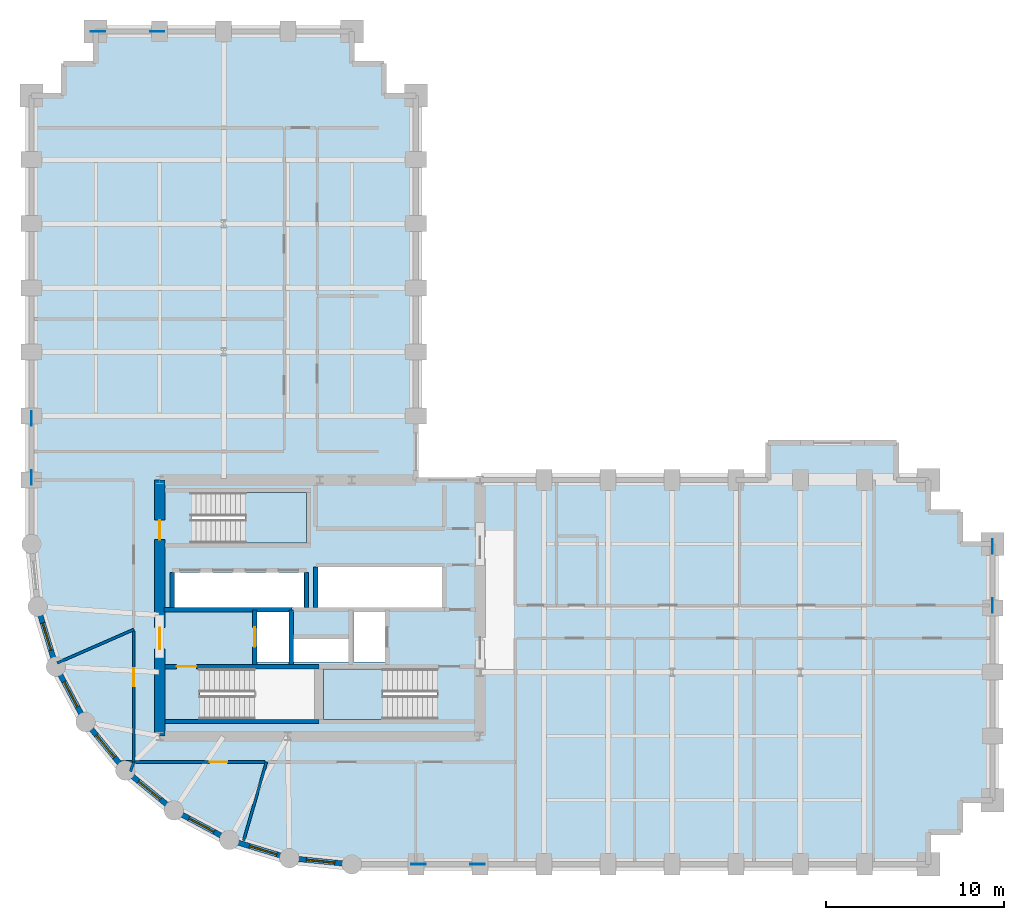
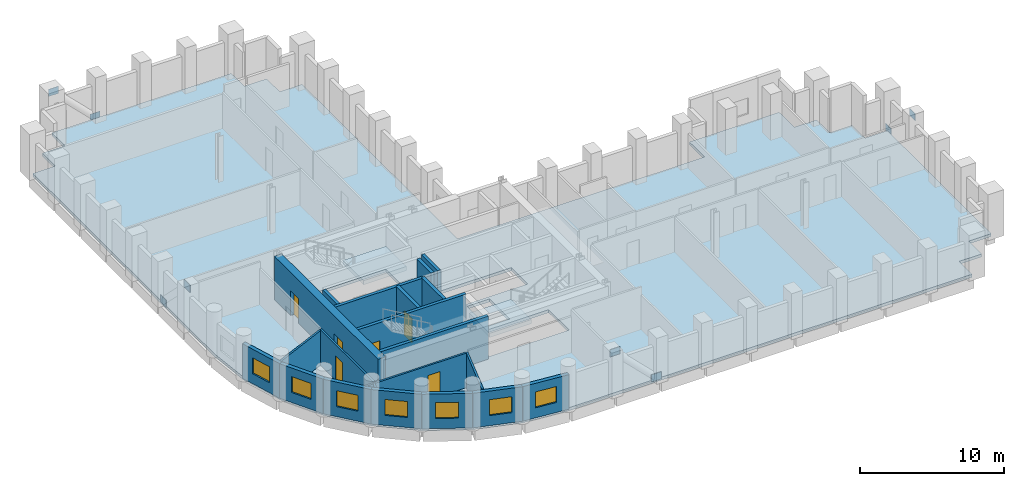
# One storey, part 3 of 8: 21 walls, 8 plates, 7 windows, 6 doors, 3 slabs, 13 openings, 2 elements without a shape of their own.
"""IFC4 building model written with IfcOpenShell, lengths in metres."""

from ifc_helpers import new_model, si_unit, direction, frame, frame_2d, origin, origin_2d, place, context, subcontext, project, spatial, polyline, rectangle, outline, extrude, material, layer, layer_set, type_object, element, fill, aggregate, save


model = new_model("IFC4")

# Units and contexts
model_context = context("Model", 3, precision=1e-05, world=origin(), true_north=direction((0.0, 1.0)))
body_context = subcontext(model_context, "Body", "Model", "MODEL_VIEW")
ifc_project = project(units=[si_unit("LENGTHUNIT", "METRE"), si_unit("AREAUNIT", "SQUARE_METRE"), si_unit("VOLUMEUNIT", "CUBIC_METRE"), si_unit("PLANEANGLEUNIT", "RADIAN"), si_unit("MASSUNIT", "GRAM", prefix="KILO")], contexts=[model_context])

# Site, building, storey
site_placement = place(None, origin())
site = spatial("IfcSite", under=ifc_project, at=site_placement, CompositionType="ELEMENT")
building_placement = place(site_placement, origin())
building = spatial("IfcBuilding", under=site, at=building_placement, Name="Solnavia Interchange Tower", CompositionType="ELEMENT")
storey_placement = place(building_placement, frame((0.0, 0.0, 43.5)))
storey = spatial("IfcBuildingStorey", under=building, at=storey_placement, Name="L10", CompositionType="ELEMENT", Elevation=43.5)

# Plates
ifc_material_1 = material(Name="Steel S460", Category="steel")
ifc_layer_1 = layer(ifc_material_1, 0.035888671875)
ifc_layer_set_1 = layer_set([ifc_layer_1], Name="Steel S460")
plate_type = type_object("IfcPlateType", Name="Plate-Gusset-800x600x36", PredefinedType="USERDEFINED", material=ifc_layer_set_1)
for number, where, z_axis, x_axis, name in (
    (1, (32.260009765625, 3.60009765625, -0.1201171875), (0.0, 0.0, 1.0), (-1.0, 0.0, 0.0), "PLT-L10-GP01 Perimeter brace gusset plate"),
    (2, (28.93994140625, 3.60009765625, 3.169921875), (0.0, 0.0, 1.0), (-1.0, 0.0, 0.0), "PLT-L10-GP02 Perimeter brace gusset plate"),
    (3, (7.199951171875, 28.659912109375, -0.1201171875), (0.0, 0.0, 1.0), (0.0, -1.0, 0.0), "PLT-L10-GP03 Perimeter brace gusset plate"),
    (4, (7.199951171875, 25.340087890625, 3.169921875), (0.0, 0.0, 1.0), (0.0, -1.0, 0.0), "PLT-L10-GP04 Perimeter brace gusset plate"),
    (5, (61.199951171875, 21.4599609375, -0.1201171875), (0.0, 0.0, 1.0), (0.0, -1.0, 0.0), "PLT-L10-GP05 Perimeter brace gusset plate"),
    (6, (61.199951171875, 18.139892578125, 3.169921875), (0.0, 0.0, 1.0), (0.0, -1.0, 0.0), "PLT-L10-GP06 Perimeter brace gusset plate"),
    (7, (14.260009765625, 50.39990234375, -0.1201171875), (0.0, 0.0, 1.0), (-1.0, 0.0, 0.0), "PLT-L10-GP07 Perimeter brace gusset plate"),
    (8, (10.93994140625, 50.39990234375, 3.169921875), (0.0, 0.0, 1.0), (-1.0, 0.0, 0.0), "PLT-L10-GP08 Perimeter brace gusset plate"),
):
    element("IfcPlate", number, at=place(storey_placement, frame(where, z_axis=z_axis, x_axis=x_axis)), inside=storey, type_object=plate_type, Name=name, ObjectType="GUSSET PLATE", PredefinedType="USERDEFINED", context=body_context, shape_type="SweptSolid", body=[
        extrude(rectangle(XDim=0.800048828125, YDim=0.035888671875, at=origin_2d()), origin(), (0.0, 0.0, 1.0), 0.60009765625),
    ])

# Stair, slab
ifc_material_2 = material(Name="Concrete C40/50", Category="concrete")
stair_type = type_object("IfcStairType", Name="Stair-Dogleg-RC", PredefinedType="HALF_TURN_STAIR", material=ifc_material_2)
stair_1_placement = place(storey_placement, origin())
stair_1 = element("IfcStair", 9, at=stair_1_placement, inside=storey, type_object=stair_type, Name="L10 Core exit stair 2", PredefinedType="HALF_TURN_STAIR")
ifc_layer_2 = layer(ifc_material_2, 0.35009765625)
ifc_layer_set_2 = layer_set([ifc_layer_2], Name="Concrete C40/50")
slab_type_1 = type_object("IfcSlabType", Name="Slab-StairLanding-350", PredefinedType="LANDING", material=ifc_layer_set_2)
slab_1_placement = place(storey_placement, frame((0.0, 0.0, 1.60009765625)))
slab_1 = element("IfcSlab", 10, at=slab_1_placement, type_object=slab_type_1, Name="ST-2 landing 1", PredefinedType="LANDING", context=body_context, shape_type="SweptSolid", body=[
    extrude(outline(polyline([(23.60009765625, 11.75), (26.94189453125, 11.75), (26.94189453125, 14.590087890625), (23.60009765625, 14.590087890625), (23.60009765625, 11.75)])), origin(), (0.0, 0.0, 1.0), 0.349853515625),
])
aggregate(stair_1, [slab_1])

stair_2_placement = place(storey_placement, origin())
stair_2 = element("IfcStair", 11, at=stair_2_placement, inside=storey, type_object=stair_type, Name="L10 Core exit stair 3", PredefinedType="HALF_TURN_STAIR")
slab_2_placement = place(storey_placement, frame((0.0, 0.0, 1.60009765625)))
slab_2 = element("IfcSlab", 12, at=slab_2_placement, type_object=slab_type_1, Name="ST-3 landing 1", PredefinedType="LANDING", context=body_context, shape_type="SweptSolid", body=[
    extrude(outline(polyline([(19.2080078125, 21.64990234375), (22.64990234375, 21.64990234375), (22.64990234375, 24.489990234375), (19.2080078125, 24.489990234375), (19.2080078125, 21.64990234375)])), origin(), (0.0, 0.0, 1.0), 0.349853515625),
])
aggregate(stair_2, [slab_2])

# Slab
ifc_layer_3 = layer(ifc_material_2, 0.25)
ifc_layer_set_3 = layer_set([ifc_layer_3], Name="Concrete C40/50")
slab_type_2 = type_object("IfcSlabType", Name="Slab-Tower-250", PredefinedType="FLOOR", material=ifc_layer_set_3)
slab_3_placement = place(storey_placement, frame((0.0, 0.0, -0.25)))
element("IfcSlab", 13, at=slab_3_placement, inside=storey, type_object=slab_type_2, Name="SLB-L10-01 Structural floor slab", PredefinedType="FLOOR", context=body_context, shape_type="SweptSolid", body=[
    extrude(outline(polyline([(25.199951171875, 3.60009765625), (57.60009765625, 3.60009765625), (57.60009765625, 5.39990234375), (59.39990234375, 5.39990234375), (59.39990234375, 7.199951171875), (61.199951171875, 7.199951171875), (61.199951171875, 21.60009765625), (59.39990234375, 21.60009765625), (59.39990234375, 23.39990234375), (57.60009765625, 23.39990234375), (57.60009765625, 25.199951171875), (55.800048828125, 25.199951171875), (55.800048828125, 27.300048828125), (48.60009765625, 27.300048828125), (48.60009765625, 25.199951171875), (28.800048828125, 25.199951171875), (28.800048828125, 46.800048828125), (27.0, 46.800048828125), (27.0, 48.60009765625), (25.199951171875, 48.60009765625), (25.199951171875, 50.39990234375), (10.800048828125, 50.39990234375), (10.800048828125, 48.60009765625), (9.0, 48.60009765625), (9.0, 46.800048828125), (7.199951171875, 46.800048828125), (7.199951171875, 21.60009765625), (7.5458984375, 18.087890625), (8.570068359375, 14.7119140625), (10.23388671875, 11.60009765625), (12.471923828125, 8.8720703125), (15.199951171875, 6.634033203125), (18.31201171875, 4.969970703125), (21.68798828125, 3.946044921875), (25.199951171875, 3.60009765625)]), holes=[polyline([(16.675048828125, 11.75), (23.10009765625, 11.75), (23.10009765625, 14.590087890625), (16.675048828125, 14.590087890625), (16.675048828125, 11.75)]), polyline([(23.60009765625, 11.75), (29.97509765625, 11.75), (29.97509765625, 14.590087890625), (23.60009765625, 14.590087890625), (23.60009765625, 11.75)]), polyline([(16.175048828125, 21.64990234375), (22.64990234375, 21.64990234375), (22.64990234375, 24.489990234375), (16.175048828125, 24.489990234375), (16.175048828125, 21.64990234375)]), polyline([(19.8798828125, 14.9599609375), (21.679931640625, 14.9599609375), (21.679931640625, 17.780029296875), (19.8798828125, 17.780029296875), (19.8798828125, 14.9599609375)]), polyline([(25.280029296875, 14.9599609375), (27.080078125, 14.9599609375), (27.080078125, 17.780029296875), (25.280029296875, 17.780029296875), (25.280029296875, 14.9599609375)]), polyline([(21.919921875, 14.9599609375), (25.02001953125, 14.9599609375), (25.02001953125, 16.280029296875), (21.919921875, 16.280029296875), (21.919921875, 14.9599609375)]), polyline([(15.219970703125, 18.02001953125), (22.52001953125, 18.02001953125), (22.52001953125, 20.0), (15.219970703125, 20.0), (15.219970703125, 18.02001953125)]), polyline([(23.300048828125, 18.02001953125), (30.280029296875, 18.02001953125), (30.280029296875, 20.300048828125), (23.300048828125, 20.300048828125), (23.300048828125, 18.02001953125)])]), origin(), (0.0, 0.0, 1.0), 0.25),
])

# Wall, opening, window
ifc_layer_4 = layer(ifc_material_2, 0.300048828125)
ifc_layer_set_4 = layer_set([ifc_layer_4], Name="Concrete C40/50")
wall_type_1 = type_object("IfcWallType", Name="Wall-ExtSpandrel-300", PredefinedType="STANDARD", material=ifc_layer_set_4)
wall_1_placement = place(storey_placement, frame((8.570068359375, 14.7119140625, 0.0), z_axis=(0.0, 0.0, 1.0), x_axis=(-0.290305086481, 0.956934144423, 0.0)))
wall_1 = element("IfcWall", 14, at=wall_1_placement, inside=storey, type_object=wall_type_1, Name="EXW-L10-60 Exterior precast spandrel wall", PredefinedType="STANDARD", context=body_context, shape_type="SweptSolid", body=[
    extrude(rectangle(XDim=3.52783203125, YDim=0.300048828125, at=frame_2d((1.763916015625, 0.0))), origin(), (0.0, 0.0, 1.0), 2.929931640625),
])
opening_1_placement = place(wall_1_placement, frame((0.964111328125, 0.0, 0.85009765625)))
opening_1 = element("IfcOpeningElement", 15, at=opening_1_placement, cuts=wall_1, Name="Opening WIN-04", PredefinedType="OPENING", context=body_context, shape_type="SweptSolid", body=[
    extrude(rectangle(XDim=1.60009765625, YDim=1.35009765625, at=frame_2d((0.800048828125, 0.675048828125))), frame((0.0, 0.16015625, 0.0), z_axis=(0.0, -1.0, 0.0), x_axis=(1.0, 0.0, 0.0)), (0.0, 0.0, 1.0), 0.320068359375),
])
ifc_material_3 = material(Name="Thermal-Break Aluminium & Low-E Glass", Category="aluminium")
window_type = type_object("IfcWindowType", Name="Window-Drum-1600x1350", PartitioningType="SINGLE_PANEL", PredefinedType="WINDOW", material=ifc_material_3)
window_1_placement = place(opening_1_placement, origin())
window_1 = element("IfcWindow", 16, at=window_1_placement, inside=storey, type_object=window_type, Name="WIN-L10-60 Facade ribbon window", OverallHeight=1.35009765625, OverallWidth=1.60009765625, PartitioningType="SINGLE_PANEL", PredefinedType="WINDOW", context=body_context, shape_type="SweptSolid", body=[
    extrude(rectangle(XDim=1.60009765625, YDim=1.35009765625, at=frame_2d((0.800048828125, 0.675048828125))), frame((0.0, 0.030029296875, 0.0), z_axis=(0.0, -1.0, 0.0), x_axis=(1.0, 0.0, 0.0)), (0.0, 0.0, 1.0), 0.06005859375),
])
fill(opening_1, window_1)

wall_2_placement = place(storey_placement, frame((10.23388671875, 11.60009765625, 0.0), z_axis=(0.0, 0.0, 1.0), x_axis=(-0.47151087309, 0.881860247748, 0.0)))
wall_2 = element("IfcWall", 17, at=wall_2_placement, inside=storey, type_object=wall_type_1, Name="EXW-L10-61 Exterior precast spandrel wall", PredefinedType="STANDARD", context=body_context, shape_type="SweptSolid", body=[
    extrude(rectangle(XDim=3.52880859375, YDim=0.300048828125, at=frame_2d((1.764404296875, 0.0))), origin(), (0.0, 0.0, 1.0), 2.929931640625),
])
opening_2_placement = place(wall_2_placement, frame((0.964111328125, 0.0, 0.85009765625)))
opening_2 = element("IfcOpeningElement", 18, at=opening_2_placement, cuts=wall_2, Name="Opening WIN-04", PredefinedType="OPENING", context=body_context, shape_type="SweptSolid", body=[
    extrude(rectangle(XDim=1.60009765625, YDim=1.35009765625, at=frame_2d((0.800048828125, 0.675048828125))), frame((0.0, 0.16015625, 0.0), z_axis=(0.0, -1.0, 0.0), x_axis=(1.0, 0.0, 0.0)), (0.0, 0.0, 1.0), 0.320068359375),
])
window_2_placement = place(opening_2_placement, origin())
window_2 = element("IfcWindow", 19, at=window_2_placement, inside=storey, type_object=window_type, Name="WIN-L10-61 Facade ribbon window", OverallHeight=1.35009765625, OverallWidth=1.60009765625, PartitioningType="SINGLE_PANEL", PredefinedType="WINDOW", context=body_context, shape_type="SweptSolid", body=[
    extrude(rectangle(XDim=1.60009765625, YDim=1.35009765625, at=frame_2d((0.800048828125, 0.675048828125))), frame((0.0, 0.030029296875, 0.0), z_axis=(0.0, -1.0, 0.0), x_axis=(1.0, 0.0, 0.0)), (0.0, 0.0, 1.0), 0.06005859375),
])
fill(opening_2, window_2)

wall_3_placement = place(storey_placement, frame((12.471923828125, 8.8720703125, 0.0), z_axis=(0.0, 0.0, 1.0), x_axis=(-0.634258295121, 0.773121216285, 0.0)))
wall_3 = element("IfcWall", 20, at=wall_3_placement, inside=storey, type_object=wall_type_1, Name="EXW-L10-62 Exterior precast spandrel wall", PredefinedType="STANDARD", context=body_context, shape_type="SweptSolid", body=[
    extrude(rectangle(XDim=3.528564453125, YDim=0.300048828125, at=frame_2d((1.76416015625, 0.0))), origin(), (0.0, 0.0, 1.0), 2.929931640625),
])
opening_3_placement = place(wall_3_placement, frame((0.964111328125, 0.0, 0.85009765625)))
opening_3 = element("IfcOpeningElement", 21, at=opening_3_placement, cuts=wall_3, Name="Opening WIN-04", PredefinedType="OPENING", context=body_context, shape_type="SweptSolid", body=[
    extrude(rectangle(XDim=1.60009765625, YDim=1.35009765625, at=frame_2d((0.800048828125, 0.675048828125))), frame((0.0, 0.16015625, 0.0), z_axis=(0.0, -1.0, 0.0), x_axis=(1.0, 0.0, 0.0)), (0.0, 0.0, 1.0), 0.320068359375),
])
window_3_placement = place(opening_3_placement, origin())
window_3 = element("IfcWindow", 22, at=window_3_placement, inside=storey, type_object=window_type, Name="WIN-L10-62 Facade ribbon window", OverallHeight=1.35009765625, OverallWidth=1.60009765625, PartitioningType="SINGLE_PANEL", PredefinedType="WINDOW", context=body_context, shape_type="SweptSolid", body=[
    extrude(rectangle(XDim=1.60009765625, YDim=1.35009765625, at=frame_2d((0.800048828125, 0.675048828125))), frame((0.0, 0.030029296875, 0.0), z_axis=(0.0, -1.0, 0.0), x_axis=(1.0, 0.0, 0.0)), (0.0, 0.0, 1.0), 0.06005859375),
])
fill(opening_3, window_3)

wall_4_placement = place(storey_placement, frame((15.199951171875, 6.634033203125, 0.0), z_axis=(0.0, 0.0, 1.0), x_axis=(-0.773121216285, 0.634258295121, 0.0)))
wall_4 = element("IfcWall", 23, at=wall_4_placement, inside=storey, type_object=wall_type_1, Name="EXW-L10-63 Exterior precast spandrel wall", PredefinedType="STANDARD", context=body_context, shape_type="SweptSolid", body=[
    extrude(rectangle(XDim=3.528564453125, YDim=0.300048828125, at=frame_2d((1.76416015625, 0.0))), origin(), (0.0, 0.0, 1.0), 2.929931640625),
])
opening_4_placement = place(wall_4_placement, frame((0.964111328125, 0.0, 0.85009765625)))
opening_4 = element("IfcOpeningElement", 24, at=opening_4_placement, cuts=wall_4, Name="Opening WIN-04", PredefinedType="OPENING", context=body_context, shape_type="SweptSolid", body=[
    extrude(rectangle(XDim=1.60009765625, YDim=1.35009765625, at=frame_2d((0.800048828125, 0.675048828125))), frame((0.0, 0.16015625, 0.0), z_axis=(0.0, -1.0, 0.0), x_axis=(1.0, 0.0, 0.0)), (0.0, 0.0, 1.0), 0.320068359375),
])
window_4_placement = place(opening_4_placement, origin())
window_4 = element("IfcWindow", 25, at=window_4_placement, inside=storey, type_object=window_type, Name="WIN-L10-63 Facade ribbon window", OverallHeight=1.35009765625, OverallWidth=1.60009765625, PartitioningType="SINGLE_PANEL", PredefinedType="WINDOW", context=body_context, shape_type="SweptSolid", body=[
    extrude(rectangle(XDim=1.60009765625, YDim=1.35009765625, at=frame_2d((0.800048828125, 0.675048828125))), frame((0.0, 0.030029296875, 0.0), z_axis=(0.0, -1.0, 0.0), x_axis=(1.0, 0.0, 0.0)), (0.0, 0.0, 1.0), 0.06005859375),
])
fill(opening_4, window_4)

wall_5_placement = place(storey_placement, frame((18.31201171875, 4.969970703125, 0.0), z_axis=(0.0, 0.0, 1.0), x_axis=(-0.881846862014, 0.471535907389, 0.0)))
wall_5 = element("IfcWall", 26, at=wall_5_placement, inside=storey, type_object=wall_type_1, Name="EXW-L10-64 Exterior precast spandrel wall", PredefinedType="STANDARD", context=body_context, shape_type="SweptSolid", body=[
    extrude(rectangle(XDim=3.529052734375, YDim=0.300048828125, at=frame_2d((1.7646484375, 0.0))), origin(), (0.0, 0.0, 1.0), 2.929931640625),
])
opening_5_placement = place(wall_5_placement, frame((0.964111328125, 0.0, 0.85009765625)))
opening_5 = element("IfcOpeningElement", 27, at=opening_5_placement, cuts=wall_5, Name="Opening WIN-04", PredefinedType="OPENING", context=body_context, shape_type="SweptSolid", body=[
    extrude(rectangle(XDim=1.60009765625, YDim=1.35009765625, at=frame_2d((0.800048828125, 0.675048828125))), frame((0.0, 0.16015625, 0.0), z_axis=(0.0, -1.0, 0.0), x_axis=(1.0, 0.0, 0.0)), (0.0, 0.0, 1.0), 0.320068359375),
])
window_5_placement = place(opening_5_placement, origin())
window_5 = element("IfcWindow", 28, at=window_5_placement, inside=storey, type_object=window_type, Name="WIN-L10-64 Facade ribbon window", OverallHeight=1.35009765625, OverallWidth=1.60009765625, PartitioningType="SINGLE_PANEL", PredefinedType="WINDOW", context=body_context, shape_type="SweptSolid", body=[
    extrude(rectangle(XDim=1.60009765625, YDim=1.35009765625, at=frame_2d((0.800048828125, 0.675048828125))), frame((0.0, 0.030029296875, 0.0), z_axis=(0.0, -1.0, 0.0), x_axis=(1.0, 0.0, 0.0)), (0.0, 0.0, 1.0), 0.06005859375),
])
fill(opening_5, window_5)

wall_6_placement = place(storey_placement, frame((21.68798828125, 3.946044921875, 0.0), z_axis=(0.0, 0.0, 1.0), x_axis=(-0.956953367403, 0.290241714123, 0.0)))
wall_6 = element("IfcWall", 29, at=wall_6_placement, inside=storey, type_object=wall_type_1, Name="EXW-L10-65 Exterior precast spandrel wall", PredefinedType="STANDARD", context=body_context, shape_type="SweptSolid", body=[
    extrude(rectangle(XDim=3.52783203125, YDim=0.300048828125, at=frame_2d((1.763916015625, 0.0))), origin(), (0.0, 0.0, 1.0), 2.929931640625),
])
opening_6_placement = place(wall_6_placement, frame((0.743896484375, 0.0, 0.85009765625)))
opening_6 = element("IfcOpeningElement", 30, at=opening_6_placement, cuts=wall_6, Name="Opening WIN-04", PredefinedType="OPENING", context=body_context, shape_type="SweptSolid", body=[
    extrude(rectangle(XDim=1.60009765625, YDim=1.35009765625, at=frame_2d((0.800048828125, 0.675048828125))), frame((0.0, 0.16015625, 0.0), z_axis=(0.0, -1.0, 0.0), x_axis=(1.0, 0.0, 0.0)), (0.0, 0.0, 1.0), 0.320068359375),
])
window_6_placement = place(opening_6_placement, origin())
window_6 = element("IfcWindow", 31, at=window_6_placement, inside=storey, type_object=window_type, Name="WIN-L10-65 Facade ribbon window", OverallHeight=1.35009765625, OverallWidth=1.60009765625, PartitioningType="SINGLE_PANEL", PredefinedType="WINDOW", context=body_context, shape_type="SweptSolid", body=[
    extrude(rectangle(XDim=1.60009765625, YDim=1.35009765625, at=frame_2d((0.800048828125, 0.675048828125))), frame((0.0, 0.030029296875, 0.0), z_axis=(0.0, -1.0, 0.0), x_axis=(1.0, 0.0, 0.0)), (0.0, 0.0, 1.0), 0.06005859375),
])
fill(opening_6, window_6)

wall_7_placement = place(storey_placement, frame((25.199951171875, 3.60009765625, 0.0), z_axis=(0.0, 0.0, 1.0), x_axis=(-0.995183369056, 0.098030923459, 0.0)))
wall_7 = element("IfcWall", 32, at=wall_7_placement, inside=storey, type_object=wall_type_1, Name="EXW-L10-66 Exterior precast spandrel wall", PredefinedType="STANDARD", context=body_context, shape_type="SweptSolid", body=[
    extrude(rectangle(XDim=3.529052734375, YDim=0.300048828125, at=frame_2d((1.7646484375, 0.0))), origin(), (0.0, 0.0, 1.0), 2.929931640625),
])
opening_7_placement = place(wall_7_placement, frame((0.965087890625, 0.0, 0.85009765625)))
opening_7 = element("IfcOpeningElement", 33, at=opening_7_placement, cuts=wall_7, Name="Opening WIN-04", PredefinedType="OPENING", context=body_context, shape_type="SweptSolid", body=[
    extrude(rectangle(XDim=1.60009765625, YDim=1.35009765625, at=frame_2d((0.800048828125, 0.675048828125))), frame((0.0, 0.16015625, 0.0), z_axis=(0.0, -1.0, 0.0), x_axis=(1.0, 0.0, 0.0)), (0.0, 0.0, 1.0), 0.320068359375),
])
window_7_placement = place(opening_7_placement, origin())
window_7 = element("IfcWindow", 34, at=window_7_placement, inside=storey, type_object=window_type, Name="WIN-L10-66 Facade ribbon window", OverallHeight=1.35009765625, OverallWidth=1.60009765625, PartitioningType="SINGLE_PANEL", PredefinedType="WINDOW", context=body_context, shape_type="SweptSolid", body=[
    extrude(rectangle(XDim=1.60009765625, YDim=1.35009765625, at=frame_2d((0.800048828125, 0.675048828125))), frame((0.0, 0.030029296875, 0.0), z_axis=(0.0, -1.0, 0.0), x_axis=(1.0, 0.0, 0.0)), (0.0, 0.0, 1.0), 0.06005859375),
])
fill(opening_7, window_7)

# Walls
ifc_material_4 = material(Name="Gypsum Plasterboard & Steel Stud", Category="steel")
ifc_layer_5 = layer(ifc_material_4, 0.14990234375)
ifc_layer_set_5 = layer_set([ifc_layer_5], Name="Gypsum Plasterboard & Steel Stud")
wall_type_2 = type_object("IfcWallType", Name="Wall-Partition-150", PredefinedType="PARTITIONING", material=ifc_layer_set_5)
wall_8_placement = place(storey_placement, frame((12.949951171875, 16.800048828125, 0.0), z_axis=(0.0, 0.0, 1.0), x_axis=(-0.916088262031, -0.400976677837, 0.0)))
element("IfcWall", 35, at=wall_8_placement, inside=storey, type_object=wall_type_2, Name="PTW-L10-09 Interior partition wall", PredefinedType="PARTITIONING", context=body_context, shape_type="SweptSolid", body=[
    extrude(rectangle(XDim=4.705810546875, YDim=0.14990234375, at=frame_2d((2.35302734375, 0.0))), origin(), (0.0, 0.0, 1.0), 2.929931640625),
])
wall_9_placement = place(storey_placement, frame((12.949951171875, 9.35009765625, 0.0), z_axis=(0.0, 0.0, 1.0), x_axis=(-0.341918365566, -0.939729658619, 0.0)))
element("IfcWall", 36, at=wall_9_placement, inside=storey, type_object=wall_type_2, Name="PTW-L10-10 Interior partition wall", PredefinedType="PARTITIONING", context=body_context, shape_type="SweptSolid", body=[
    extrude(rectangle(XDim=0.55908203125, YDim=0.14990234375, at=frame_2d((0.279541015625, 0.0))), origin(), (0.0, 0.0, 1.0), 2.929931640625),
])
wall_10_placement = place(storey_placement, frame((20.39990234375, 9.35009765625, 0.0), z_axis=(0.0, 0.0, 1.0), x_axis=(-0.279120135734, -0.960256189685, 0.0)))
element("IfcWall", 37, at=wall_10_placement, inside=storey, type_object=wall_type_2, Name="PTW-L10-11 Interior partition wall", PredefinedType="PARTITIONING", context=body_context, shape_type="SweptSolid", body=[
    extrude(rectangle(XDim=4.593017578125, YDim=0.14990234375, at=frame_2d((2.29638671875, 0.0))), origin(), (0.0, 0.0, 1.0), 2.929931640625),
])

# Wall, opening, door
wall_11_placement = place(storey_placement, frame((12.949951171875, 9.35009765625, 0.0), z_axis=(0.0, 0.0, 1.0), x_axis=(0.0, 1.0, 0.0)))
wall_11 = element("IfcWall", 38, at=wall_11_placement, inside=storey, type_object=wall_type_2, Name="PTW-L10-13 Interior partition wall", PredefinedType="PARTITIONING", context=body_context, shape_type="SweptSolid", body=[
    extrude(rectangle(XDim=7.370849609375, YDim=0.14990234375, at=frame_2d((3.685546875, 0.0))), origin(), (0.0, 0.0, 1.0), 3.0400390625),
])
opening_8_placement = place(wall_11_placement, frame((4.260986328125, 0.0, 0.0)))
opening_8 = element("IfcOpeningElement", 39, at=opening_8_placement, cuts=wall_11, Name="Opening DR-07", PredefinedType="OPENING", context=body_context, shape_type="SweptSolid", body=[
    extrude(rectangle(XDim=1.0, YDim=2.10009765625, at=frame_2d((0.5, 1.050048828125))), frame((0.0, 0.0849609375, 0.0), z_axis=(0.0, -1.0, 0.0), x_axis=(1.0, 0.0, 0.0)), (0.0, 0.0, 1.0), 0.169921875),
])
ifc_material_5 = material(Name="Timber & Acoustic Glazed Office Door", Category="wood")
door_type_1 = type_object("IfcDoorType", Name="Door-Office-1000x2100", OperationType="SINGLE_SWING_RIGHT", PredefinedType="DOOR", material=ifc_material_5)
door_1_placement = place(opening_8_placement, origin())
door_1 = element("IfcDoor", 40, at=door_1_placement, inside=storey, type_object=door_type_1, Name="DR-L10-04 Interior room door", OperationType="SINGLE_SWING_RIGHT", OverallHeight=2.10009765625, OverallWidth=1.0, PredefinedType="DOOR", context=body_context, shape_type="SweptSolid", body=[
    extrude(rectangle(XDim=1.0, YDim=2.10009765625, at=frame_2d((0.5, 1.050048828125))), frame((0.0, 0.02490234375, 0.0), z_axis=(0.0, -1.0, 0.0), x_axis=(1.0, 0.0, 0.0)), (0.0, 0.0, 1.0), 0.050048828125),
])
fill(opening_8, door_1)

wall_12_placement = place(storey_placement, frame((12.23388671875, 9.35009765625, 0.0), z_axis=(0.0, 0.0, 1.0), x_axis=(1.0, 0.0, 0.0)))
wall_12 = element("IfcWall", 41, at=wall_12_placement, inside=storey, type_object=wall_type_2, Name="PTW-L10-14 Interior partition wall", PredefinedType="PARTITIONING", context=body_context, shape_type="SweptSolid", body=[
    extrude(rectangle(XDim=8.087158203125, YDim=0.14990234375, at=frame_2d((4.04345703125, 0.0))), origin(), (0.0, 0.0, 1.0), 2.929931640625),
])
opening_9_placement = place(wall_12_placement, frame((4.97705078125, 0.0, 0.0)))
opening_9 = element("IfcOpeningElement", 42, at=opening_9_placement, cuts=wall_12, Name="Opening DR-07", PredefinedType="OPENING", context=body_context, shape_type="SweptSolid", body=[
    extrude(rectangle(XDim=1.0, YDim=2.10009765625, at=frame_2d((0.5, 1.050048828125))), frame((0.0, 0.0849609375, 0.0), z_axis=(0.0, -1.0, 0.0), x_axis=(1.0, 0.0, 0.0)), (0.0, 0.0, 1.0), 0.169921875),
])
door_2_placement = place(opening_9_placement, origin())
door_2 = element("IfcDoor", 43, at=door_2_placement, inside=storey, type_object=door_type_1, Name="DR-L10-05 Interior room door", OperationType="SINGLE_SWING_LEFT", OverallHeight=2.10009765625, OverallWidth=1.0, PredefinedType="DOOR", context=body_context, shape_type="SweptSolid", body=[
    extrude(rectangle(XDim=1.0, YDim=2.10009765625, at=frame_2d((0.5, 1.050048828125))), frame((0.0, 0.02490234375, 0.0), z_axis=(0.0, -1.0, 0.0), x_axis=(1.0, 0.0, 0.0)), (0.0, 0.0, 1.0), 0.050048828125),
])
fill(opening_9, door_2)

# Wall
ifc_layer_6 = layer(ifc_material_2, 0.25)
ifc_layer_set_6 = layer_set([ifc_layer_6], Name="Concrete C40/50")
wall_type_3 = type_object("IfcWallType", Name="Wall-ShaftCore-250", PredefinedType="SHEAR", material=ifc_layer_set_6)
wall_13_placement = place(storey_placement, frame((14.699951171875, 11.625, 0.0), z_axis=(0.0, 0.0, 1.0), x_axis=(1.0, 0.0, 0.0)))
element("IfcWall", 44, at=wall_13_placement, inside=storey, type_object=wall_type_3, Name="SHW-L10-ST1S Core shear wall", PredefinedType="SHEAR", context=body_context, shape_type="SweptSolid", body=[
    extrude(rectangle(XDim=8.650146484375, YDim=0.25, at=frame_2d((4.3251953125, 0.0))), origin(), (0.0, 0.0, 1.0), 3.64990234375),
])

# Wall, opening, door
wall_14_placement = place(storey_placement, frame((14.699951171875, 14.715087890625, 0.0), z_axis=(0.0, 0.0, 1.0), x_axis=(1.0, 0.0, 0.0)))
wall_14 = element("IfcWall", 45, at=wall_14_placement, inside=storey, type_object=wall_type_3, Name="SHW-L10-ST1N Core shear wall", PredefinedType="SHEAR", context=body_context, shape_type="SweptSolid", body=[
    extrude(rectangle(XDim=8.650146484375, YDim=0.25, at=frame_2d((4.3251953125, 0.0))), origin(), (0.0, 0.0, 1.0), 3.64990234375),
])
opening_10_placement = place(wall_14_placement, frame((0.655029296875, 0.0, 0.0)))
opening_10 = element("IfcOpeningElement", 46, at=opening_10_placement, cuts=wall_14, Name="Opening DR-01", PredefinedType="OPENING", context=body_context, shape_type="SweptSolid", body=[
    extrude(rectangle(XDim=1.10009765625, YDim=2.10009765625, at=frame_2d((0.550048828125, 1.050048828125))), frame((0.0, 0.135009765625, 0.0), z_axis=(0.0, -1.0, 0.0), x_axis=(1.0, 0.0, 0.0)), (0.0, 0.0, 1.0), 0.27001953125),
])
ifc_material_6 = material(Name="Steel Fire-Rated Leaf & Frame", Category="steel")
door_type_2 = type_object("IfcDoorType", Name="Door-StairFire-1100x2100", OperationType="SINGLE_SWING_LEFT", PredefinedType="DOOR", material=ifc_material_6)
door_3_placement = place(opening_10_placement, origin())
door_3 = element("IfcDoor", 47, at=door_3_placement, inside=storey, type_object=door_type_2, Name="DR-L10-ST1 Core fire door", OperationType="SINGLE_SWING_LEFT", OverallHeight=2.10009765625, OverallWidth=1.10009765625, PredefinedType="DOOR", context=body_context, shape_type="SweptSolid", body=[
    extrude(rectangle(XDim=1.10009765625, YDim=2.10009765625, at=frame_2d((0.550048828125, 1.050048828125))), frame((0.0, 0.02490234375, 0.0), z_axis=(0.0, -1.0, 0.0), x_axis=(1.0, 0.0, 0.0)), (0.0, 0.0, 1.0), 0.050048828125),
])
fill(opening_10, door_3)

# Wall
ifc_layer_7 = layer(ifc_material_2, 0.25)
ifc_layer_set_7 = layer_set([ifc_layer_7], Name="Concrete C40/50")
wall_type_4 = type_object("IfcWallType", Name="Wall-ShaftPart-250", PredefinedType="PARTITIONING", material=ifc_layer_set_7)
wall_15_placement = place(storey_placement, frame((14.64990234375, 17.89990234375, 0.0), z_axis=(0.0, 0.0, 1.0), x_axis=(1.0, 0.0, 0.0)))
element("IfcWall", 48, at=wall_15_placement, inside=storey, type_object=wall_type_4, Name="SHW-L10-FFLW-N Core shaft wall", PredefinedType="PARTITIONING", context=body_context, shape_type="SweptSolid", body=[
    extrude(rectangle(XDim=7.150146484375, YDim=0.25, at=frame_2d((3.5751953125, 0.0))), origin(), (0.0, 0.0, 1.0), 3.635009765625),
])

# Wall, opening, door
wall_16_placement = place(storey_placement, frame((19.75, 14.840087890625, 0.0), z_axis=(0.0, 0.0, 1.0), x_axis=(0.0, 1.0, 0.0)))
wall_16 = element("IfcWall", 49, at=wall_16_placement, inside=storey, type_object=wall_type_4, Name="SHW-L10-FFL1-W Core shaft wall", PredefinedType="PARTITIONING", context=body_context, shape_type="SweptSolid", body=[
    extrude(rectangle(XDim=3.059814453125, YDim=0.25, at=frame_2d((1.52978515625, 0.0))), origin(), (0.0, 0.0, 1.0), 3.635009765625),
])
opening_11_placement = place(wall_16_placement, frame((0.97998046875, 0.0, 0.0)))
opening_11 = element("IfcOpeningElement", 50, at=opening_11_placement, cuts=wall_16, Name="Opening LD-01", PredefinedType="OPENING", context=body_context, shape_type="SweptSolid", body=[
    extrude(rectangle(XDim=1.10009765625, YDim=2.10009765625, at=frame_2d((0.550048828125, 1.050048828125))), frame((0.0, 0.135009765625, 0.0), z_axis=(0.0, -1.0, 0.0), x_axis=(1.0, 0.0, 0.0)), (0.0, 0.0, 1.0), 0.27001953125),
])
ifc_material_7 = material(Name="Brushed Stainless Steel Sliding Door", Category="steel")
door_type_3 = type_object("IfcDoorType", Name="Door-LiftLanding-1100x2100", OperationType="SLIDING_TO_LEFT", PredefinedType="DOOR", material=ifc_material_7)
door_4_placement = place(opening_11_placement, origin())
door_4 = element("IfcDoor", 51, at=door_4_placement, inside=storey, type_object=door_type_3, Name="LD-L10-FFL1 Lift landing sliding door", OperationType="SLIDING_TO_LEFT", OverallHeight=2.10009765625, OverallWidth=1.10009765625, PredefinedType="DOOR", context=body_context, shape_type="SweptSolid", body=[
    extrude(rectangle(XDim=1.10009765625, YDim=2.10009765625, at=frame_2d((0.550048828125, 1.050048828125))), frame((0.0, 0.02490234375, 0.0), z_axis=(0.0, -1.0, 0.0), x_axis=(1.0, 0.0, 0.0)), (0.0, 0.0, 1.0), 0.050048828125),
])
fill(opening_11, door_4)

# Walls
wall_17_placement = place(storey_placement, frame((21.800048828125, 14.840087890625, 0.0), z_axis=(0.0, 0.0, 1.0), x_axis=(0.0, 1.0, 0.0)))
element("IfcWall", 52, at=wall_17_placement, inside=storey, type_object=wall_type_4, Name="SHW-L10-FFL1-E Core shaft wall", PredefinedType="PARTITIONING", context=body_context, shape_type="SweptSolid", body=[
    extrude(rectangle(XDim=3.059814453125, YDim=0.25, at=frame_2d((1.52978515625, 0.0))), origin(), (0.0, 0.0, 1.0), 3.635009765625),
])
for number, where, z_axis, x_axis, name in (
    (53, (15.10009765625, 18.02490234375, 0.0), (0.0, 0.0, 1.0), (0.0, 1.0, 0.0), "SHW-L10-B1W Core shaft wall"),
    (54, (22.64990234375, 18.02490234375, 0.0), (0.0, 0.0, 1.0), (0.0, 1.0, 0.0), "SHW-L10-B1E Core shaft wall"),
):
    element("IfcWall", number, at=place(storey_placement, frame(where, z_axis=z_axis, x_axis=x_axis)), inside=storey, type_object=wall_type_4, Name=name, PredefinedType="PARTITIONING", context=body_context, shape_type="SweptSolid", body=[
        extrude(rectangle(XDim=1.97509765625, YDim=0.25, at=frame_2d((0.987548828125, 0.0))), origin(), (0.0, 0.0, 1.0), 3.635009765625),
    ])
wall_18_placement = place(storey_placement, frame((23.179931640625, 18.02490234375, 0.0), z_axis=(0.0, 0.0, 1.0), x_axis=(0.0, 1.0, 0.0)))
element("IfcWall", 55, at=wall_18_placement, inside=storey, type_object=wall_type_4, Name="SHW-L10-B2W Core shaft wall", PredefinedType="PARTITIONING", context=body_context, shape_type="SweptSolid", body=[
    extrude(rectangle(XDim=2.27001953125, YDim=0.25, at=frame_2d((1.135009765625, 0.0))), origin(), (0.0, 0.0, 1.0), 3.635009765625),
])

# Wall, openings, doors
ifc_material_8 = material(Name="Concrete C60/75", Category="concrete")
ifc_layer_8 = layer(ifc_material_8, 0.60009765625)
ifc_layer_set_8 = layer_set([ifc_layer_8], Name="Concrete C60/75")
wall_type_5 = type_object("IfcWallType", Name="Wall-ShearCore-600", PredefinedType="SHEAR", material=ifc_layer_set_8)
wall_19_placement = place(storey_placement, frame((14.39990234375, 10.800048828125, 0.0), z_axis=(0.0, 0.0, 1.0), x_axis=(0.0, 1.0, 0.0)))
wall_19 = element("IfcWall", 56, at=wall_19_placement, inside=storey, type_object=wall_type_5, Name="CRW-L10-W Core shear wall", PredefinedType="SHEAR", context=body_context, shape_type="SweptSolid", body=[
    extrude(rectangle(XDim=14.39990234375, YDim=0.60009765625, at=frame_2d((7.199951171875, 0.0))), origin(), (0.0, 0.0, 1.0), 3.64990234375),
])
opening_12_placement = place(wall_19_placement, frame((11.050048828125, 0.0, 0.0)))
opening_12 = element("IfcOpeningElement", 57, at=opening_12_placement, cuts=wall_19, Name="Opening DR-01", PredefinedType="OPENING", context=body_context, shape_type="SweptSolid", body=[
    extrude(rectangle(XDim=1.10009765625, YDim=2.10009765625, at=frame_2d((0.550048828125, 1.050048828125))), frame((0.0, 0.31005859375, 0.0), z_axis=(0.0, -1.0, 0.0), x_axis=(1.0, 0.0, 0.0)), (0.0, 0.0, 1.0), 0.6201171875),
])
opening_13_placement = place(wall_19_placement, frame((4.89990234375, 0.0, 0.0)))
opening_13 = element("IfcOpeningElement", 58, at=opening_13_placement, cuts=wall_19, Name="Opening DR-02", PredefinedType="OPENING", context=body_context, shape_type="SweptSolid", body=[
    extrude(rectangle(XDim=1.199951171875, YDim=2.10009765625, at=frame_2d((0.60009765625, 1.050048828125))), frame((0.0, 0.31005859375, 0.0), z_axis=(0.0, -1.0, 0.0), x_axis=(1.0, 0.0, 0.0)), (0.0, 0.0, 1.0), 0.6201171875),
])
ifc_material_9 = material(Name="Steel Fire-Rated Vision-Panel Door", Category="steel")
door_type_4 = type_object("IfcDoorType", Name="Door-LobbyFire-1200x2100", OperationType="SINGLE_SWING_RIGHT", PredefinedType="DOOR", material=ifc_material_9)
door_5_placement = place(opening_13_placement, origin())
door_5 = element("IfcDoor", 59, at=door_5_placement, inside=storey, type_object=door_type_4, Name="DR-L10-FFL1W Core fire door", OperationType="SINGLE_SWING_RIGHT", OverallHeight=2.10009765625, OverallWidth=1.199951171875, PredefinedType="DOOR", context=body_context, shape_type="SweptSolid", body=[
    extrude(rectangle(XDim=1.199951171875, YDim=2.10009765625, at=frame_2d((0.60009765625, 1.050048828125))), frame((0.0, 0.02490234375, 0.0), z_axis=(0.0, -1.0, 0.0), x_axis=(1.0, 0.0, 0.0)), (0.0, 0.0, 1.0), 0.050048828125),
])
fill(opening_13, door_5)
door_6_placement = place(opening_12_placement, origin())
door_6 = element("IfcDoor", 60, at=door_6_placement, inside=storey, type_object=door_type_2, Name="DR-L10-ST3 Core fire door", OperationType="SINGLE_SWING_RIGHT", OverallHeight=2.10009765625, OverallWidth=1.10009765625, PredefinedType="DOOR", context=body_context, shape_type="SweptSolid", body=[
    extrude(rectangle(XDim=1.10009765625, YDim=2.10009765625, at=frame_2d((0.550048828125, 1.050048828125))), frame((0.0, 0.02490234375, 0.0), z_axis=(0.0, -1.0, 0.0), x_axis=(1.0, 0.0, 0.0)), (0.0, 0.0, 1.0), 0.050048828125),
])
fill(opening_12, door_6)

save(model, "model.ifc")
